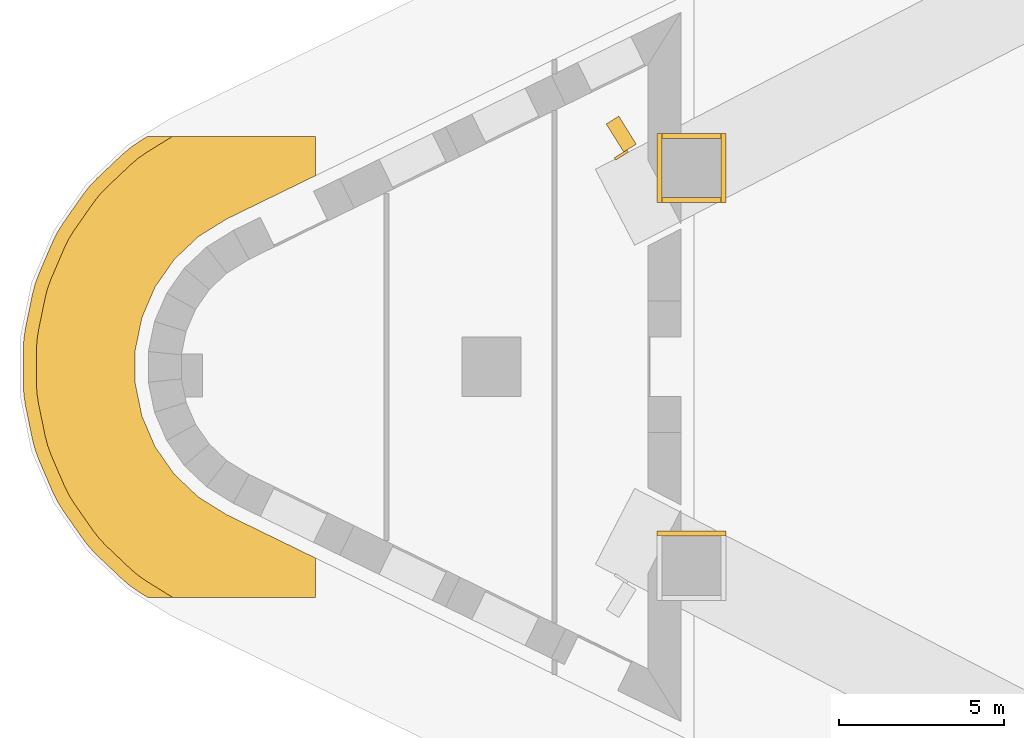
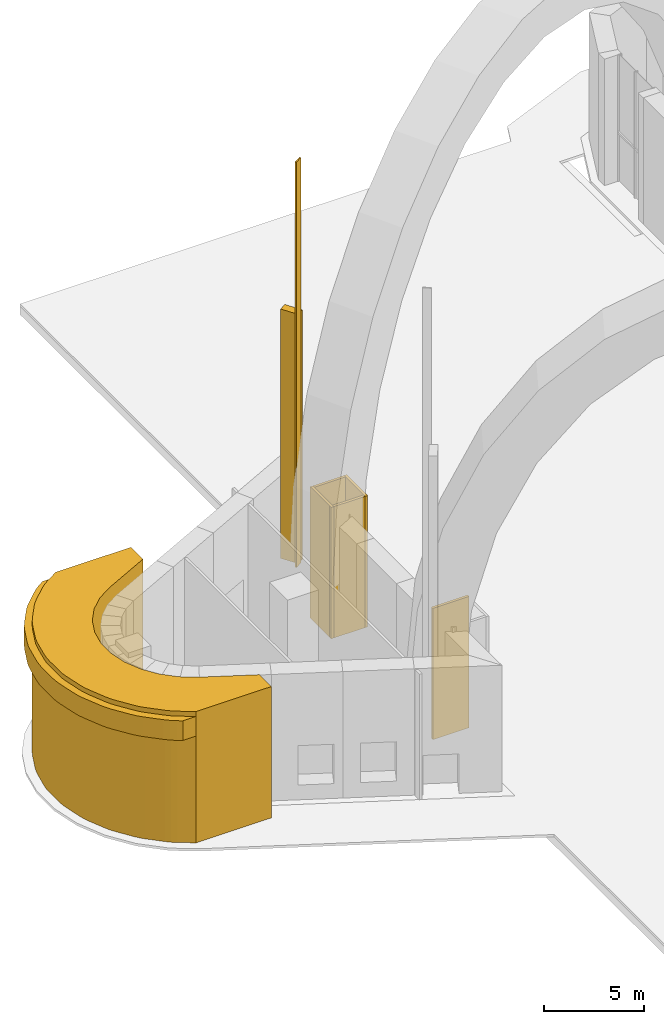
# One storey, part 17 of 22: 9 coverings.
"""IFC4 building model written with IfcOpenShell, lengths in metres."""

from ifc_helpers import new_model, si_unit, direction, frame, frame_2d, origin, place, context, subcontext, project, spatial, polyline, rectangle, outline, extrude, material, layer, layer_set, type_object, element, save


model = new_model("IFC4")

# Units and contexts
model_context = context("Model", 3, precision=1e-05, world=origin(), true_north=direction((0.0, 1.0)))
body_context = subcontext(model_context, "Body", "Model", "MODEL_VIEW")
ifc_project = project(units=[si_unit("LENGTHUNIT", "METRE"), si_unit("AREAUNIT", "SQUARE_METRE"), si_unit("VOLUMEUNIT", "CUBIC_METRE"), si_unit("PLANEANGLEUNIT", "RADIAN"), si_unit("MASSUNIT", "GRAM", prefix="KILO")], contexts=[model_context])

# Site, building, storey
site_placement = place(None, origin())
site = spatial("IfcSite", under=ifc_project, at=site_placement, CompositionType="ELEMENT")
building_placement = place(site_placement, origin())
building = spatial("IfcBuilding", under=site, at=building_placement, Name="Ostrand Prow Hotel Tower", CompositionType="ELEMENT")
storey_placement = place(building_placement, origin())
storey = spatial("IfcBuildingStorey", under=building, at=storey_placement, Name="L00", CompositionType="ELEMENT", Elevation=0.0)

# Coverings
ifc_material_1 = material(Name="Dark bronze anodised aluminium lining", Category="aluminium")
ifc_layer_1 = layer(ifc_material_1, 0.080078125)
ifc_layer_set_1 = layer_set([ifc_layer_1], Name="Dark bronze anodised aluminium lining")
covering_type_1 = type_object("IfcCoveringType", Name="Arch spandrel limestone cladding 80 mm", PredefinedType="CLADDING", material=ifc_layer_set_1)
covering_1_placement = place(storey_placement, frame((9.60009765625, 6.315185546875, 4.0), z_axis=(0.0, 0.0, 1.0), x_axis=(0.847784106187, 0.530341502522, 0.0)))
element("IfcCovering", 1, at=covering_1_placement, inside=storey, type_object=covering_type_1, Name="Arch spandrel cladding N 1", PredefinedType="CLADDING", context=body_context, shape_type="SweptSolid", body=[
    extrude(rectangle(XDim=0.448486328125, YDim=0.080078125, at=frame_2d((0.22412109375, 0.0))), origin(), (0.0, 0.0, 1.0), 24.699951171875),
])
ifc_material_2 = material(Name="Limestone cladding", Category="masonry")
ifc_layer_2 = layer(ifc_material_2, 0.14990234375)
ifc_layer_set_2 = layer_set([ifc_layer_2], Name="Limestone cladding")
covering_type_2 = type_object("IfcCoveringType", Name="Column stone sleeve 150 mm", PredefinedType="CLADDING", material=ifc_layer_set_2)
for number, where, z_axis, x_axis, name in (
    (2, (12.976318359375, -5.06689453125, 0.0), (0.0, 0.0, 1.0), (-1.0, 0.0, 0.0), "Column stone sleeve MC-S1 3"),
    (3, (10.87646484375, 5.06689453125, 0.0), (0.0, 0.0, 1.0), (1.0, 0.0, 0.0), "Column stone sleeve MC-N6 1"),
):
    element("IfcCovering", number, at=place(storey_placement, frame(where, z_axis=z_axis, x_axis=x_axis)), inside=storey, type_object=covering_type_2, Name=name, PredefinedType="CLADDING", context=body_context, shape_type="SweptSolid", body=[
        extrude(rectangle(XDim=2.099853515625, YDim=0.14990234375, at=frame_2d((1.0498046875, 0.0))), origin(), (0.0, 0.0, 1.0), 8.0),
    ])
covering_2_placement = place(storey_placement, frame((12.9013671875, 4.991943359375, 0.0), z_axis=(0.0, 0.0, 1.0), x_axis=(0.0, 1.0, 0.0)))
element("IfcCovering", 4, at=covering_2_placement, inside=storey, type_object=covering_type_2, Name="Column stone sleeve MC-N6 2", PredefinedType="CLADDING", context=body_context, shape_type="SweptSolid", body=[
    extrude(rectangle(XDim=2.10009765625, YDim=0.14990234375, at=frame_2d((1.050048828125, 0.0))), origin(), (0.0, 0.0, 1.0), 8.0),
])
covering_3_placement = place(storey_placement, frame((12.976318359375, 7.01708984375, 0.0), z_axis=(0.0, 0.0, 1.0), x_axis=(-1.0, 0.0, 0.0)))
element("IfcCovering", 5, at=covering_3_placement, inside=storey, type_object=covering_type_2, Name="Column stone sleeve MC-N6 3", PredefinedType="CLADDING", context=body_context, shape_type="SweptSolid", body=[
    extrude(rectangle(XDim=2.099853515625, YDim=0.14990234375, at=frame_2d((1.0498046875, 0.0))), origin(), (0.0, 0.0, 1.0), 8.0),
])
covering_4_placement = place(storey_placement, frame((10.951416015625, 7.092041015625, 0.0), z_axis=(0.0, 0.0, 1.0), x_axis=(0.0, -1.0, 0.0)))
element("IfcCovering", 6, at=covering_4_placement, inside=storey, type_object=covering_type_2, Name="Column stone sleeve MC-N6 4", PredefinedType="CLADDING", context=body_context, shape_type="SweptSolid", body=[
    extrude(rectangle(XDim=2.10009765625, YDim=0.14990234375, at=frame_2d((1.050048828125, 0.0))), origin(), (0.0, 0.0, 1.0), 8.0),
])
ifc_material_3 = material(Name="Limestone cladding", Category="masonry")
ifc_layer_3 = layer(ifc_material_3, 1.0)
ifc_layer_set_3 = layer_set([ifc_layer_3], Name="Limestone cladding")
covering_type_3 = type_object("IfcCoveringType", Name="Portal frame limestone 1000 mm", PredefinedType="CLADDING", material=ifc_layer_set_3)
covering_5_placement = place(storey_placement, frame((9.60009765625, 6.952392578125, 4.0), z_axis=(0.0, 0.0, 1.0), x_axis=(0.848518372121, 0.529165921213, 0.0)))
element("IfcCovering", 7, at=covering_5_placement, inside=storey, type_object=covering_type_3, Name="Portal frame N 1", PredefinedType="CLADDING", context=body_context, shape_type="SweptSolid", body=[
    extrude(rectangle(XDim=0.447998046875, YDim=1.0, at=frame_2d((0.22412109375, 0.0))), origin(), (0.0, 0.0, 1.0), 15.1884765625),
])
ifc_material_4 = material(Name="Bronze anodised aluminium cladding", Category="aluminium")
ifc_layer_4 = layer(ifc_material_4, 0.39990234375)
ifc_layer_set_4 = layer_set([ifc_layer_4], Name="Bronze anodised aluminium cladding")
covering_type_4 = type_object("IfcCoveringType", Name="Prow nose bronze band", PredefinedType="CLADDING", material=ifc_layer_set_4)
covering_6_placement = place(storey_placement, frame((0.0, 0.0, 6.5)))
element("IfcCovering", 8, at=covering_6_placement, inside=storey, type_object=covering_type_4, Name="Prow nose band L00", PredefinedType="CLADDING", context=body_context, shape_type="SweptSolid", body=[
    extrude(outline(polyline([(-4.8447265625, -6.849365234375), (-4.601806640625, -7.0), (-3.843017578125, -7.0), (-4.6337890625, -6.509521484375), (-4.88427734375, -6.3359375), (-5.11572265625, -6.137939453125), (-5.851806640625, -5.44091796875), (-6.06201171875, -5.220458984375), (-6.248779296875, -4.979736328125), (-6.8291015625, -4.1484375), (-6.990478515625, -3.89013671875), (-7.125, -3.616943359375), (-7.525390625, -2.685546875), (-7.631591796875, -2.39990234375), (-7.7080078125, -2.105224609375), (-7.91259765625, -1.112060546875), (-7.958740234375, -0.81103515625), (-7.97412109375, -0.5068359375), (-7.97412109375, 0.5068359375), (-7.958740234375, 0.81103515625), (-7.91259765625, 1.112060546875), (-7.7080078125, 2.105224609375), (-7.631591796875, 2.39990234375), (-7.525390625, 2.685546875), (-7.125, 3.616943359375), (-6.990478515625, 3.89013671875), (-6.8291015625, 4.1484375), (-6.248779296875, 4.979736328125), (-6.06201171875, 5.220458984375), (-5.851806640625, 5.44091796875), (-5.11572265625, 6.137939453125), (-4.88427734375, 6.3359375), (-4.6337890625, 6.509521484375), (-3.843017578125, 7.0), (-4.601806640625, 7.0), (-4.8447265625, 6.849365234375), (-5.12841796875, 6.65283203125), (-5.390625, 6.428466796875), (-6.126708984375, 5.731201171875), (-6.364990234375, 5.4814453125), (-6.57666015625, 5.208740234375), (-7.156982421875, 4.37744140625), (-7.340087890625, 4.084716796875), (-7.4921875, 3.77490234375), (-7.89306640625, 2.843505859375), (-8.01318359375, 2.52001953125), (-8.099853515625, 2.185791015625), (-8.30419921875, 1.19287109375), (-8.356689453125, 0.851806640625), (-8.374267578125, 0.5068359375), (-8.374267578125, -0.5068359375), (-8.356689453125, -0.851806640625), (-8.30419921875, -1.19287109375), (-8.099853515625, -2.185791015625), (-8.01318359375, -2.52001953125), (-7.89306640625, -2.843505859375), (-7.4921875, -3.77490234375), (-7.340087890625, -4.084716796875), (-7.156982421875, -4.37744140625), (-6.57666015625, -5.208740234375), (-6.364990234375, -5.4814453125), (-6.126708984375, -5.731201171875), (-5.390625, -6.428466796875), (-5.12841796875, -6.65283203125), (-4.8447265625, -6.849365234375)])), origin(), (0.0, 0.0, 1.0), 1.199951171875),
])
ifc_material_5 = material(Name="Limestone cladding", Category="masonry")
ifc_layer_5 = layer(ifc_material_5, 3.0)
ifc_layer_set_5 = layer_set([ifc_layer_5], Name="Limestone cladding")
covering_type_5 = type_object("IfcCoveringType", Name="Prow nose pier limestone", PredefinedType="CLADDING", material=ifc_layer_set_5)
covering_7_placement = place(storey_placement, origin())
element("IfcCovering", 9, at=covering_7_placement, inside=storey, type_object=covering_type_5, Name="Prow nose pier L00", PredefinedType="CLADDING", context=body_context, shape_type="SweptSolid", body=[
    extrude(outline(polyline([(-4.6337890625, -6.509521484375), (-3.843017578125, -7.0), (0.5, -7.0), (0.5, -5.80615234375), (-2.19091796875, -4.494384765625), (-3.052490234375, -3.9599609375), (-3.788818359375, -3.2626953125), (-4.368896484375, -2.431396484375), (-4.769775390625, -1.5), (-4.97412109375, -0.5068359375), (-4.97412109375, 0.5068359375), (-4.769775390625, 1.5), (-4.368896484375, 2.431396484375), (-3.788818359375, 3.2626953125), (-3.052490234375, 3.9599609375), (-2.19091796875, 4.494384765625), (0.5, 5.80615234375), (0.5, 7.0), (-3.843017578125, 7.0), (-4.6337890625, 6.509521484375), (-4.88427734375, 6.3359375), (-5.11572265625, 6.137939453125), (-5.851806640625, 5.44091796875), (-6.06201171875, 5.220458984375), (-6.248779296875, 4.979736328125), (-6.8291015625, 4.1484375), (-6.990478515625, 3.89013671875), (-7.125, 3.616943359375), (-7.525390625, 2.685546875), (-7.631591796875, 2.39990234375), (-7.7080078125, 2.105224609375), (-7.91259765625, 1.112060546875), (-7.958740234375, 0.81103515625), (-7.97412109375, 0.5068359375), (-7.97412109375, -0.5068359375), (-7.958740234375, -0.81103515625), (-7.91259765625, -1.112060546875), (-7.7080078125, -2.105224609375), (-7.631591796875, -2.39990234375), (-7.525390625, -2.685546875), (-7.125, -3.616943359375), (-6.990478515625, -3.89013671875), (-6.8291015625, -4.1484375), (-6.248779296875, -4.979736328125), (-6.06201171875, -5.220458984375), (-5.851806640625, -5.44091796875), (-5.11572265625, -6.137939453125), (-4.88427734375, -6.3359375), (-4.6337890625, -6.509521484375)])), origin(), (0.0, 0.0, 1.0), 8.0),
])

save(model, "model.ifc")
